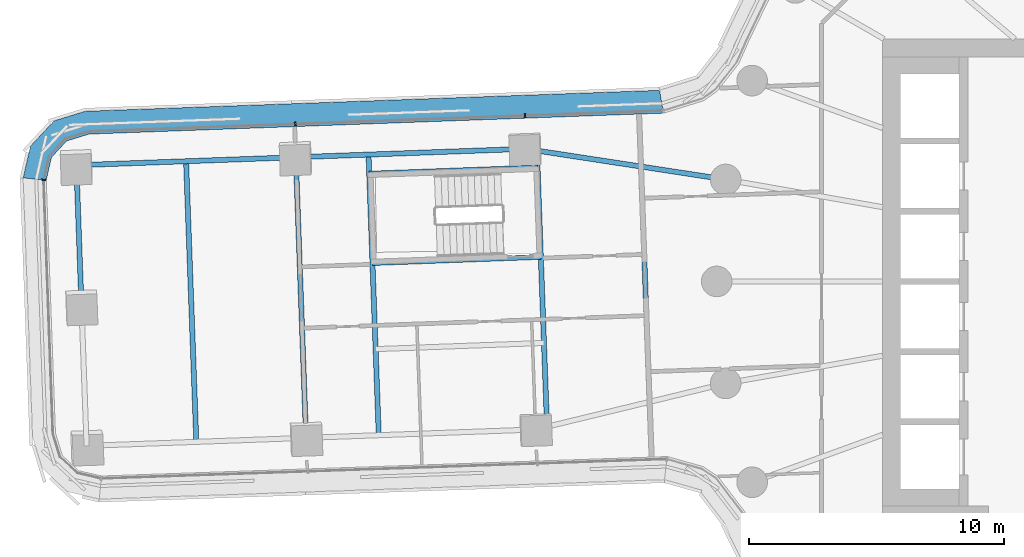
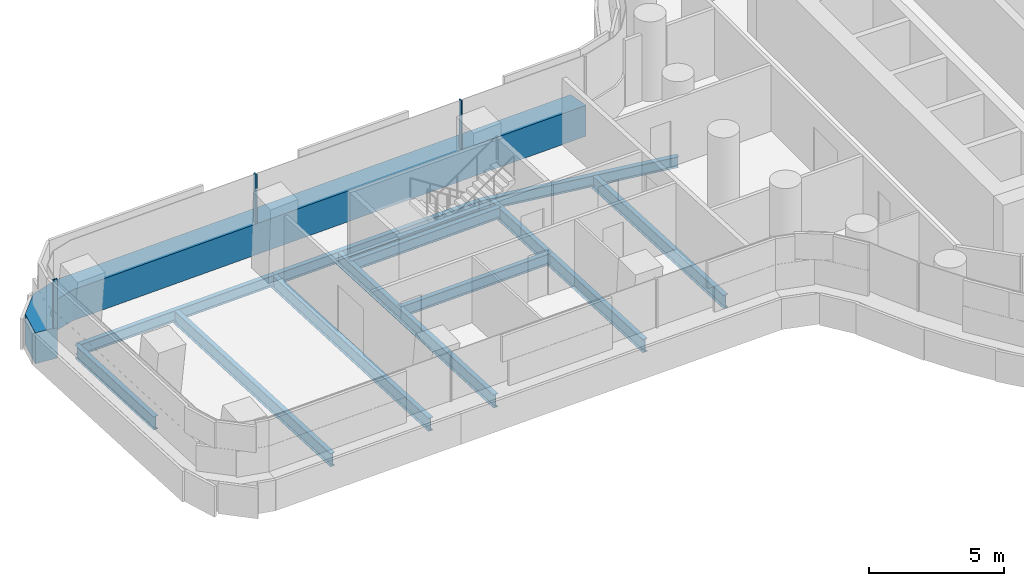
# One storey, part 6 of 31: 11 beams, 4 members, 2 elements without a shape of their own.
"""IFC4 building model written with IfcOpenShell, lengths in metres."""

from ifc_helpers import new_model, si_unit, direction, frame, origin, origin_2d, place, context, subcontext, project, spatial, polyline, rectangle, i_section, outline, extrude, material, layer, layer_set, material_profile, profile_set, type_object, element, aggregate, save


model = new_model("IFC4")

# Units and contexts
model_context = context("Model", 3, precision=1e-05, world=origin(), true_north=direction((0.0, 1.0)))
body_context = subcontext(model_context, "Body", "Model", "MODEL_VIEW")
ifc_project = project(units=[si_unit("LENGTHUNIT", "METRE"), si_unit("AREAUNIT", "SQUARE_METRE"), si_unit("VOLUMEUNIT", "CUBIC_METRE"), si_unit("PLANEANGLEUNIT", "RADIAN"), si_unit("MASSUNIT", "GRAM", prefix="KILO")], contexts=[model_context])

# Site, building, storey
site_placement = place(None, origin())
site = spatial("IfcSite", under=ifc_project, at=site_placement, CompositionType="ELEMENT")
building_placement = place(site_placement, origin())
building = spatial("IfcBuilding", under=site, at=building_placement, Name="Tamarind Cross Interchange Tower", CompositionType="ELEMENT")
storey_placement = place(building_placement, frame((0.0, 0.0, 41.5)))
storey = spatial("IfcBuildingStorey", under=building, at=storey_placement, Name="L08", CompositionType="ELEMENT", Elevation=41.5)

# Beams
ifc_material_1 = material(Name="Steel Q355B", Category="steel")
ifc_material_profile_1 = material_profile(ifc_material_1, i_section(OverallWidth=0.198974609375, OverallDepth=0.49609375, WebThickness=0.009033203125, FlangeThickness=0.013916015625, FilletRadius=0.012939453125, at=origin_2d()), Name="HN 496x199x9x14")
ifc_profile_set_1 = profile_set([ifc_material_profile_1], Name="Steel Q355B")
beam_type_1 = type_object("IfcBeamType", Name="Composite beam HN 496x199x9x14 Q355B", PredefinedType="BEAM", material=ifc_profile_set_1)
beam_1_placement = place(storey_placement, frame((-48.08544921875, 4.552001953125, -0.387939453125), z_axis=(0.999335782267, 0.036441655858, 0.0), x_axis=(-0.036441655858, 0.999335782267, 0.0)))
element("IfcBeam", 1, at=beam_1_placement, inside=storey, type_object=beam_type_1, Name="Beam W-edgeem5", PredefinedType="BEAM", context=body_context, shape_type="SweptSolid", body=[
    extrude(i_section(OverallWidth=0.198974609375, OverallDepth=0.49609375, WebThickness=0.009033203125, FlangeThickness=0.013916015625, FilletRadius=0.012939453125, at=origin_2d()), origin(), (0.0, 0.0, 1.0), 8.60205078125),
])
beam_2_placement = place(storey_placement, frame((-39.489013671875, 4.865478515625, -0.387939453125), z_axis=(0.999335156233, 0.036458819457, 0.0), x_axis=(-0.036458819457, 0.999335156233, 0.0)))
element("IfcBeam", 2, at=beam_2_placement, inside=storey, type_object=beam_type_1, Name="Beam W-edgeem6", PredefinedType="BEAM", context=body_context, shape_type="SweptSolid", body=[
    extrude(i_section(OverallWidth=0.198974609375, OverallDepth=0.49609375, WebThickness=0.009033203125, FlangeThickness=0.013916015625, FilletRadius=0.012939453125, at=origin_2d()), origin(), (0.0, 0.0, 1.0), 9.0),
])
beam_3_placement = place(storey_placement, frame((-30.4951171875, 5.193603515625, -0.387939453125), z_axis=(0.988506459327, -0.151178635621, 0.0), x_axis=(0.151178635621, 0.988506459327, 0.0)))
element("IfcBeam", 3, at=beam_3_placement, inside=storey, type_object=beam_type_1, Name="Beam W-linkem", PredefinedType="BEAM", context=body_context, shape_type="SweptSolid", body=[
    extrude(i_section(OverallWidth=0.198974609375, OverallDepth=0.49609375, WebThickness=0.009033203125, FlangeThickness=0.013916015625, FilletRadius=0.012939453125, at=origin_2d()), origin(), (0.0, 0.0, 1.0), 7.935791015625),
])
beam_4_placement = place(storey_placement, frame((-30.01806640625, 4.460693359375, -0.387939453125), z_axis=(-0.999334603893, -0.03647395593, 0.0), x_axis=(0.03647395593, -0.999334603893, 0.0)))
element("IfcBeam", 4, at=beam_4_placement, inside=storey, type_object=beam_type_1, Name="Beam W-tr0", PredefinedType="BEAM", context=body_context, shape_type="SweptSolid", body=[
    extrude(i_section(OverallWidth=0.198974609375, OverallDepth=0.49609375, WebThickness=0.009033203125, FlangeThickness=0.013916015625, FilletRadius=0.012939453125, at=origin_2d()), origin(), (0.0, 0.0, 1.0), 6.599853515625),
])
beam_5_placement = place(storey_placement, frame((-29.890380859375, 0.962890625, -0.387939453125), z_axis=(-0.999334653103, -0.036472607638, 0.0), x_axis=(0.036472607638, -0.999334653103, 0.0)))
element("IfcBeam", 5, at=beam_5_placement, inside=storey, type_object=beam_type_1, Name="Beam W-tr1", PredefinedType="BEAM", context=body_context, shape_type="SweptSolid", body=[
    extrude(i_section(OverallWidth=0.198974609375, OverallDepth=0.49609375, WebThickness=0.009033203125, FlangeThickness=0.013916015625, FilletRadius=0.012939453125, at=origin_2d()), origin(), (0.0, 0.0, 1.0), 6.60009765625),
])
ifc_material_profile_2 = material_profile(ifc_material_1, i_section(OverallWidth=0.199951171875, OverallDepth=0.60009765625, WebThickness=0.010986328125, FlangeThickness=0.01708984375, FilletRadius=0.012939453125, at=origin_2d()), Name="HN 600x200x11x17")
ifc_profile_set_2 = profile_set([ifc_material_profile_2], Name="Steel Q355B")
beam_type_2 = type_object("IfcBeamType", Name="Composite beam HN 600x200x11x17 Q355B", PredefinedType="BEAM", material=ifc_profile_set_2)
beam_6_placement = place(storey_placement, frame((-48.08544921875, 4.552001953125, -0.43994140625), z_axis=(0.036443593445, -0.999335711609, 0.0), x_axis=(0.999335711609, 0.036443593445, 0.0)))
element("IfcBeam", 6, at=beam_6_placement, inside=storey, type_object=beam_type_2, Name="Beam W-tip0", PredefinedType="BEAM", context=body_context, shape_type="SweptSolid", body=[
    extrude(i_section(OverallWidth=0.199951171875, OverallDepth=0.60009765625, WebThickness=0.010986328125, FlangeThickness=0.01708984375, FilletRadius=0.012939453125, at=origin_2d()), origin(), (0.0, 0.0, 1.0), 5.5),
])
beam_7_placement = place(storey_placement, frame((-30.042236328125, 5.12451171875, -0.43994140625), z_axis=(0.036455130589, -0.999335290808, 0.0), x_axis=(0.999335290808, 0.036455130589, 0.0)))
element("IfcBeam", 7, at=beam_7_placement, inside=storey, type_object=beam_type_2, Name="Beam W-x298", PredefinedType="BEAM", context=body_context, shape_type="SweptSolid", body=[
    extrude(i_section(OverallWidth=0.199951171875, OverallDepth=0.60009765625, WebThickness=0.010986328125, FlangeThickness=0.01708984375, FilletRadius=0.012939453125, at=origin_2d()), origin(), (0.0, 0.0, 1.0), 10.822265625),
])
for number, where, z_axis, x_axis, name in (
    (8, (-36.640869140625, 4.969482421875, -0.43994140625), (0.036465758577, -0.999334903049, 0.0), (0.999334903049, 0.036465758577, 0.0), "Beam W-x364"),
    (9, (-39.489013671875, 4.865478515625, -0.43994140625), (0.036465758577, -0.999334903049, 0.0), (0.999334903049, 0.036465758577, 0.0), "Beam W-x393"),
):
    element("IfcBeam", number, at=place(storey_placement, frame(where, z_axis=z_axis, x_axis=x_axis)), inside=storey, type_object=beam_type_2, Name=name, PredefinedType="BEAM", context=body_context, shape_type="SweptSolid", body=[
        extrude(i_section(OverallWidth=0.199951171875, OverallDepth=0.60009765625, WebThickness=0.010986328125, FlangeThickness=0.01708984375, FilletRadius=0.012939453125, at=origin_2d()), origin(), (0.0, 0.0, 1.0), 11.0),
    ])
beam_8_placement = place(storey_placement, frame((-25.966796875, 4.501220703125, -0.43994140625), z_axis=(0.036473226001, -0.999334630534, 0.0), x_axis=(0.999334630534, 0.036473226001, 0.0)))
element("IfcBeam", 10, at=beam_8_placement, inside=storey, type_object=beam_type_2, Name="Beam W-x258", PredefinedType="BEAM", context=body_context, shape_type="SweptSolid", body=[
    extrude(i_section(OverallWidth=0.199951171875, OverallDepth=0.60009765625, WebThickness=0.010986328125, FlangeThickness=0.01708984375, FilletRadius=0.012939453125, at=origin_2d()), origin(), (0.0, 0.0, 1.0), 9.223876953125),
])
beam_9_placement = place(storey_placement, frame((-43.787353515625, 4.708740234375, -0.43994140625), z_axis=(0.036465758577, -0.999334903049, 0.0), x_axis=(0.999334903049, 0.036465758577, 0.0)))
element("IfcBeam", 11, at=beam_9_placement, inside=storey, type_object=beam_type_2, Name="Beam W-x436", PredefinedType="BEAM", context=body_context, shape_type="SweptSolid", body=[
    extrude(i_section(OverallWidth=0.199951171875, OverallDepth=0.60009765625, WebThickness=0.010986328125, FlangeThickness=0.01708984375, FilletRadius=0.012939453125, at=origin_2d()), origin(), (0.0, 0.0, 1.0), 11.0),
])

# Curtain wall, member
ifc_material_2 = material(Name="Aluminium 6063-T6", Category="aluminium")
ifc_layer = layer(ifc_material_2, 0.159912109375)
ifc_layer_set = layer_set([ifc_layer], Name="Aluminium 6063-T6")
curtain_wall_type = type_object("IfcCurtainWallType", Name="Office curtain wall, 9.0 m bays", PredefinedType="NOTDEFINED", material=ifc_layer_set)
curtain_wall_1_placement = place(storey_placement, origin())
curtain_wall_1 = element("IfcCurtainWall", 12, at=curtain_wall_1_placement, inside=storey, type_object=curtain_wall_type, Name="CWS-L08-15", PredefinedType="NOTDEFINED")
ifc_material_3 = material(Name="Aluminium and insulated spandrel panel", Category="aluminium")
member_type_1 = type_object("IfcMemberType", Name="Floor-edge blade transom", PredefinedType="USERDEFINED", material=ifc_material_3)
member_1_placement = place(storey_placement, origin())
member_1 = element("IfcMember", 13, at=member_1_placement, type_object=member_type_1, Name="CWT-L08-15", ObjectType="TRANSOM", PredefinedType="USERDEFINED", context=body_context, shape_type="SweptSolid", body=[
    extrude(outline(polyline([(-25.08544921875, 6.591796875), (-47.590087890625, 5.770751953125), (-48.465087890625, 5.501708984375), (-49.060546875, 4.861328125), (-49.264892578125, 3.968994140625), (-50.168701171875, 4.0546875), (-49.8837890625, 5.29736328125), (-48.9599609375, 6.291259765625), (-47.7412109375, 6.665771484375), (-25.23779296875, 7.48681640625), (-25.08544921875, 6.591796875)])), origin(), (0.0, 0.0, 1.0), 1.39990234375),
])

curtain_wall_2_placement = place(storey_placement, origin())
curtain_wall_2 = element("IfcCurtainWall", 14, at=curtain_wall_2_placement, inside=storey, type_object=curtain_wall_type, Name="CWS-L08-00", PredefinedType="NOTDEFINED")
ifc_material_profile_3 = material_profile(ifc_material_2, rectangle(XDim=0.06005859375, YDim=0.159912109375, at=origin_2d()), Name="Mullion CW1")
ifc_profile_set_3 = profile_set([ifc_material_profile_3], Name="Aluminium 6063-T6")
member_type_2 = type_object("IfcMemberType", Name="Mullion CW1", PredefinedType="MULLION", material=ifc_profile_set_3)
member_2_placement = place(storey_placement, frame((-49.365478515625, 3.978515625, 1.39990234375), z_axis=(0.0, 0.0, 1.0), x_axis=(-0.094289020443, -0.995544866203, 0.0)))
member_2 = element("IfcMember", 15, at=member_2_placement, type_object=member_type_2, Name="CWM-L08-00-00", PredefinedType="MULLION", context=body_context, shape_type="SweptSolid", body=[
    extrude(rectangle(XDim=0.06005859375, YDim=0.159912109375, at=origin_2d()), origin(), (0.0, 0.0, 1.0), 2.210205078125),
])
aggregate(curtain_wall_2, [member_2])

# Member
member_3_placement = place(storey_placement, frame((-30.515869140625, 6.493896484375, 1.39990234375), z_axis=(0.0, 0.0, 1.0), x_axis=(-0.999335028671, -0.036462315768, 0.0)))
member_3 = element("IfcMember", 16, at=member_3_placement, type_object=member_type_2, Name="CWM-L08-15-01", PredefinedType="MULLION", context=body_context, shape_type="SweptSolid", body=[
    extrude(rectangle(XDim=0.06005859375, YDim=0.159912109375, at=origin_2d()), origin(), (0.0, 0.0, 1.0), 2.210205078125),
])

member_4_placement = place(storey_placement, frame((-39.510009765625, 6.16552734375, 1.39990234375), z_axis=(0.0, 0.0, 1.0), x_axis=(-0.999335028671, -0.036462315768, 0.0)))
member_4 = element("IfcMember", 17, at=member_4_placement, type_object=member_type_2, Name="CWM-L08-15-02", PredefinedType="MULLION", context=body_context, shape_type="SweptSolid", body=[
    extrude(rectangle(XDim=0.06005859375, YDim=0.159912109375, at=origin_2d()), origin(), (0.0, 0.0, 1.0), 2.210205078125),
])

aggregate(curtain_wall_1, [member_3, member_4, member_1])

save(model, "model.ifc")
